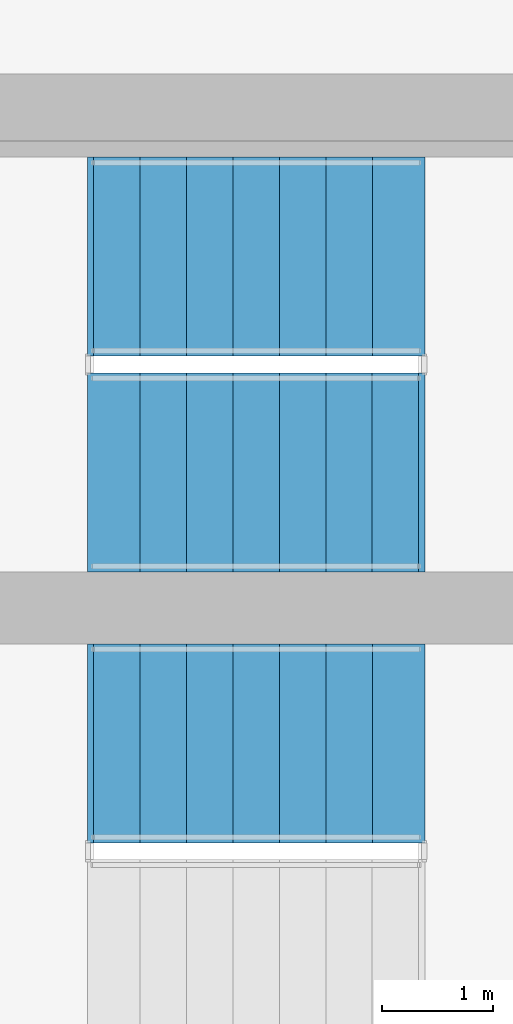
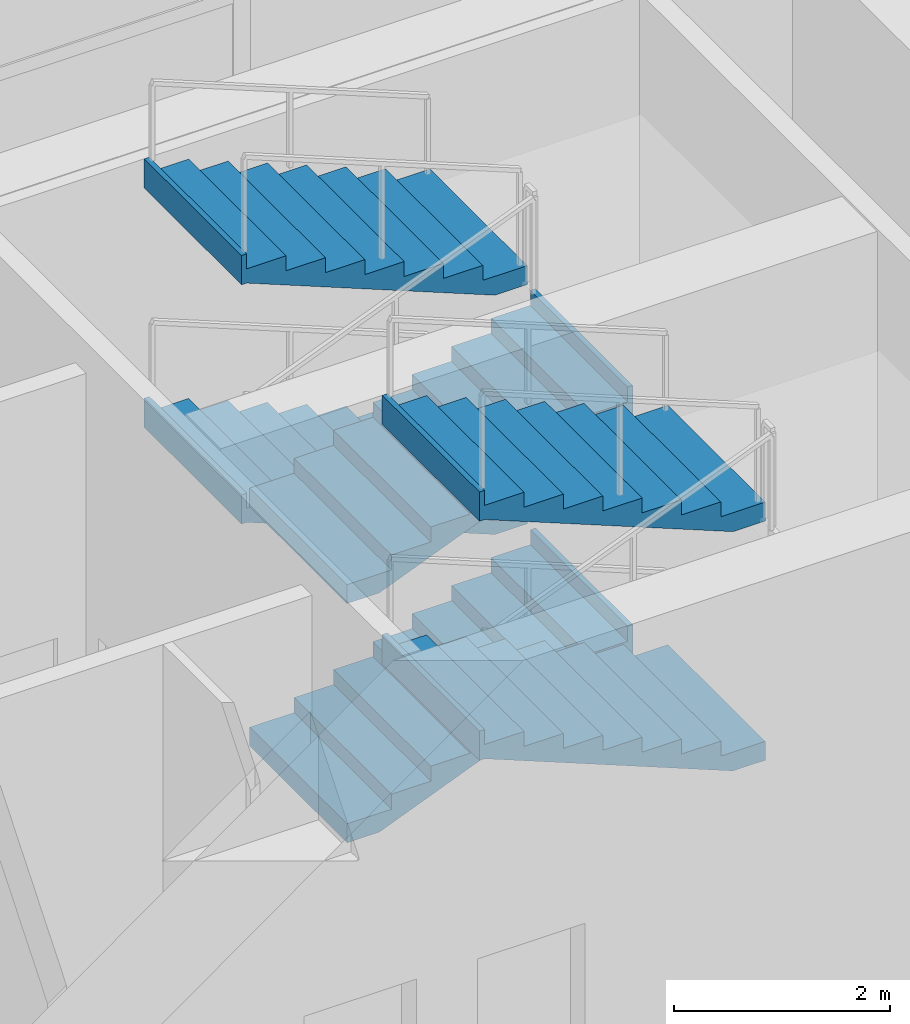
# One storey, part 12 of 16: 6 stair flights, 2 elements without a shape of their own.
"""IFC4 building model written with IfcOpenShell, lengths in metres."""

from ifc_helpers import new_model, si_unit, direction, frame, origin, place, context, subcontext, project, spatial, polyline, outline, extrude, material, type_object, element, aggregate, save


model = new_model("IFC4")

# Units and contexts
model_context = context("Model", 3, precision=1e-05, world=origin(), true_north=direction((0.0, 1.0)))
body_context = subcontext(model_context, "Body", "Model", "MODEL_VIEW")
ifc_project = project(units=[si_unit("LENGTHUNIT", "METRE"), si_unit("AREAUNIT", "SQUARE_METRE"), si_unit("VOLUMEUNIT", "CUBIC_METRE"), si_unit("PLANEANGLEUNIT", "RADIAN"), si_unit("MASSUNIT", "GRAM", prefix="KILO")], contexts=[model_context])

# Site, building, storey
site_placement = place(None, origin())
site = spatial("IfcSite", under=ifc_project, at=site_placement, CompositionType="ELEMENT")
building_placement = place(site_placement, origin())
building = spatial("IfcBuilding", under=site, at=building_placement, Name="Caeloran Harvest Quay", CompositionType="ELEMENT")
storey_placement = place(building_placement, frame((0.0, 0.0, 10.800048828125)))
storey = spatial("IfcBuildingStorey", under=building, at=storey_placement, Name="L03", CompositionType="ELEMENT", Elevation=10.800048828125)

# Stair, stair flights
ifc_material = material(Name="Concrete C50/60", Category="concrete")
stair_type = type_object("IfcStairType", Name="STAIR-STC-180", PredefinedType="HALF_TURN_STAIR", material=ifc_material)
stair_1_placement = place(storey_placement, origin())
stair_1 = element("IfcStair", 1, at=stair_1_placement, inside=storey, type_object=stair_type, Name="L03 Core Pressurized Exit Stair ST-C1", PredefinedType="HALF_TURN_STAIR")
stair_flight_type = type_object("IfcStairFlightType", Name="FLIGHT-STC-180", PredefinedType="STRAIGHT", material=ifc_material)
stair_flight_1_placement = place(storey_placement, frame((15.89990234375, 37.39990234375, 0.0), z_axis=(0.0, 0.0, 1.0), x_axis=(1.0, 0.0, 0.0)))
stair_flight_1 = element("IfcStairFlight", 2, at=stair_flight_1_placement, type_object=stair_flight_type, Name="ST-C1 flight 1", NumberOfRisers=8, NumberOfTreads=7, PredefinedType="STRAIGHT", RiserHeight=0.16875, TreadLength=0.42, context=body_context, shape_type="SweptSolid", body=[
    extrude(outline(polyline([(-0.054931640625, -0.044921875), (-0.054931640625, -0.03173828125), (-0.054931640625, -0.018310546875), (-0.054931640625, -0.0048828125), (-0.054931640625, 0.008544921875), (-0.054931640625, 0.021728515625), (-0.054931640625, 0.03515625), (-0.054931640625, 0.048583984375), (-0.054931640625, 0.061767578125), (-0.054931640625, 0.0751953125), (-0.054931640625, 0.088623046875), (-0.054931640625, 0.10205078125), (-0.054931640625, 0.115234375), (-0.054931640625, 0.128662109375), (-0.054931640625, 0.14208984375), (-0.054931640625, 0.1552734375), (-0.054931640625, 0.168701171875), (0.419921875, 0.168701171875), (0.419921875, 0.33740234375), (0.840087890625, 0.33740234375), (0.840087890625, 0.50634765625), (1.260009765625, 0.50634765625), (1.260009765625, 0.675048828125), (1.679931640625, 0.675048828125), (1.679931640625, 0.84375), (2.10009765625, 0.84375), (2.10009765625, 1.012451171875), (2.52001953125, 1.012451171875), (2.52001953125, 1.18115234375), (2.93994140625, 1.18115234375), (2.93994140625, 1.35009765625), (2.9951171875, 1.35009765625), (2.9951171875, 1.329345703125), (2.9951171875, 1.30859375), (2.9951171875, 1.2880859375), (2.9951171875, 1.267333984375), (2.9951171875, 1.246826171875), (2.9951171875, 1.22607421875), (2.9951171875, 1.20556640625), (2.9951171875, 1.184814453125), (2.9951171875, 1.164306640625), (2.9951171875, 1.1435546875), (2.9951171875, 1.122802734375), (2.9951171875, 1.102294921875), (2.9951171875, 1.08154296875), (2.9951171875, 1.06103515625), (2.9951171875, 1.040283203125), (2.9951171875, 1.019775390625), (2.93994140625, 1.019775390625), (0.2900390625, -0.044921875), (-0.054931640625, -0.044921875)])), frame((0.0, 0.89990234375, 0.0), z_axis=(0.0, -1.0, 0.0), x_axis=(1.0, 0.0, 0.0)), (0.0, 0.0, 1.0), 1.800048828125),
])
stair_flight_2_placement = place(storey_placement, frame((18.840087890625, 39.35009765625, 1.349853515625), z_axis=(0.0, 0.0, 1.0), x_axis=(-1.0, 0.0, 0.0)))
stair_flight_2 = element("IfcStairFlight", 3, at=stair_flight_2_placement, type_object=stair_flight_type, Name="ST-C1 flight 2", NumberOfRisers=8, NumberOfTreads=7, PredefinedType="STRAIGHT", RiserHeight=0.16875, TreadLength=0.42, context=body_context, shape_type="SweptSolid", body=[
    extrude(outline(polyline([(-0.054931640625, -0.044921875), (-0.054931640625, -0.03173828125), (-0.054931640625, -0.018310546875), (-0.054931640625, -0.0048828125), (-0.054931640625, 0.008544921875), (-0.054931640625, 0.021728515625), (-0.054931640625, 0.03515625), (-0.054931640625, 0.048583984375), (-0.054931640625, 0.061767578125), (-0.054931640625, 0.0751953125), (-0.054931640625, 0.088623046875), (-0.054931640625, 0.10205078125), (-0.054931640625, 0.115234375), (-0.054931640625, 0.128662109375), (-0.054931640625, 0.14208984375), (-0.054931640625, 0.1552734375), (-0.054931640625, 0.168701171875), (0.419921875, 0.168701171875), (0.419921875, 0.33740234375), (0.840087890625, 0.33740234375), (0.840087890625, 0.50634765625), (1.260009765625, 0.50634765625), (1.260009765625, 0.675048828125), (1.679931640625, 0.675048828125), (1.679931640625, 0.84375), (2.10009765625, 0.84375), (2.10009765625, 1.012451171875), (2.52001953125, 1.012451171875), (2.52001953125, 1.18115234375), (2.93994140625, 1.18115234375), (2.93994140625, 1.35009765625), (2.9951171875, 1.35009765625), (2.9951171875, 1.329345703125), (2.9951171875, 1.30859375), (2.9951171875, 1.2880859375), (2.9951171875, 1.267333984375), (2.9951171875, 1.246826171875), (2.9951171875, 1.22607421875), (2.9951171875, 1.20556640625), (2.9951171875, 1.184814453125), (2.9951171875, 1.164306640625), (2.9951171875, 1.1435546875), (2.9951171875, 1.122802734375), (2.9951171875, 1.102294921875), (2.9951171875, 1.08154296875), (2.9951171875, 1.06103515625), (2.9951171875, 1.040283203125), (2.9951171875, 1.019775390625), (2.93994140625, 1.019775390625), (0.2900390625, -0.044921875), (-0.054931640625, -0.044921875)])), frame((0.0, 0.89990234375, 0.0), z_axis=(0.0, -1.0, 0.0), x_axis=(1.0, 0.0, 0.0)), (0.0, 0.0, 1.0), 1.800048828125),
])
stair_flight_3_placement = place(storey_placement, frame((15.89990234375, 37.39990234375, 2.699951171875), z_axis=(0.0, 0.0, 1.0), x_axis=(1.0, 0.0, 0.0)))
stair_flight_3 = element("IfcStairFlight", 4, at=stair_flight_3_placement, type_object=stair_flight_type, Name="ST-C1 flight 3", NumberOfRisers=8, NumberOfTreads=7, PredefinedType="STRAIGHT", RiserHeight=0.16875, TreadLength=0.42, context=body_context, shape_type="SweptSolid", body=[
    extrude(outline(polyline([(-0.054931640625, -0.044921875), (-0.054931640625, -0.03173828125), (-0.054931640625, -0.018310546875), (-0.054931640625, -0.0048828125), (-0.054931640625, 0.008544921875), (-0.054931640625, 0.021728515625), (-0.054931640625, 0.03515625), (-0.054931640625, 0.048583984375), (-0.054931640625, 0.061767578125), (-0.054931640625, 0.0751953125), (-0.054931640625, 0.088623046875), (-0.054931640625, 0.10205078125), (-0.054931640625, 0.115234375), (-0.054931640625, 0.128662109375), (-0.054931640625, 0.14208984375), (-0.054931640625, 0.1552734375), (-0.054931640625, 0.168701171875), (0.419921875, 0.168701171875), (0.419921875, 0.33740234375), (0.840087890625, 0.33740234375), (0.840087890625, 0.50634765625), (1.260009765625, 0.50634765625), (1.260009765625, 0.675048828125), (1.679931640625, 0.675048828125), (1.679931640625, 0.84375), (2.10009765625, 0.84375), (2.10009765625, 1.012451171875), (2.52001953125, 1.012451171875), (2.52001953125, 1.18115234375), (2.93994140625, 1.18115234375), (2.93994140625, 1.35009765625), (2.9951171875, 1.35009765625), (2.9951171875, 1.329345703125), (2.9951171875, 1.30859375), (2.9951171875, 1.2880859375), (2.9951171875, 1.267333984375), (2.9951171875, 1.246826171875), (2.9951171875, 1.22607421875), (2.9951171875, 1.20556640625), (2.9951171875, 1.184814453125), (2.9951171875, 1.164306640625), (2.9951171875, 1.1435546875), (2.9951171875, 1.122802734375), (2.9951171875, 1.102294921875), (2.9951171875, 1.08154296875), (2.9951171875, 1.06103515625), (2.9951171875, 1.040283203125), (2.9951171875, 1.019775390625), (2.93994140625, 1.019775390625), (0.2900390625, -0.044921875), (-0.054931640625, -0.044921875)])), frame((0.0, 0.89990234375, 0.0), z_axis=(0.0, -1.0, 0.0), x_axis=(1.0, 0.0, 0.0)), (0.0, 0.0, 1.0), 1.800048828125),
])
stair_flight_4_placement = place(storey_placement, frame((18.840087890625, 39.35009765625, 4.050048828125), z_axis=(0.0, 0.0, 1.0), x_axis=(-1.0, 0.0, 0.0)))
stair_flight_4 = element("IfcStairFlight", 5, at=stair_flight_4_placement, type_object=stair_flight_type, Name="ST-C1 flight 4", NumberOfRisers=8, NumberOfTreads=7, PredefinedType="STRAIGHT", RiserHeight=0.16875, TreadLength=0.42, context=body_context, shape_type="SweptSolid", body=[
    extrude(outline(polyline([(-0.054931640625, -0.044921875), (-0.054931640625, -0.03173828125), (-0.054931640625, -0.018310546875), (-0.054931640625, -0.0048828125), (-0.054931640625, 0.008544921875), (-0.054931640625, 0.021728515625), (-0.054931640625, 0.03515625), (-0.054931640625, 0.048583984375), (-0.054931640625, 0.061767578125), (-0.054931640625, 0.0751953125), (-0.054931640625, 0.088623046875), (-0.054931640625, 0.10205078125), (-0.054931640625, 0.115234375), (-0.054931640625, 0.128662109375), (-0.054931640625, 0.14208984375), (-0.054931640625, 0.1552734375), (-0.054931640625, 0.168701171875), (0.419921875, 0.168701171875), (0.419921875, 0.33740234375), (0.840087890625, 0.33740234375), (0.840087890625, 0.50634765625), (1.260009765625, 0.50634765625), (1.260009765625, 0.675048828125), (1.679931640625, 0.675048828125), (1.679931640625, 0.84375), (2.10009765625, 0.84375), (2.10009765625, 1.012451171875), (2.52001953125, 1.012451171875), (2.52001953125, 1.18115234375), (2.93994140625, 1.18115234375), (2.93994140625, 1.35009765625), (2.9951171875, 1.35009765625), (2.9951171875, 1.329345703125), (2.9951171875, 1.30859375), (2.9951171875, 1.2880859375), (2.9951171875, 1.267333984375), (2.9951171875, 1.246826171875), (2.9951171875, 1.22607421875), (2.9951171875, 1.20556640625), (2.9951171875, 1.184814453125), (2.9951171875, 1.164306640625), (2.9951171875, 1.1435546875), (2.9951171875, 1.122802734375), (2.9951171875, 1.102294921875), (2.9951171875, 1.08154296875), (2.9951171875, 1.06103515625), (2.9951171875, 1.040283203125), (2.9951171875, 1.019775390625), (2.93994140625, 1.019775390625), (0.2900390625, -0.044921875), (-0.054931640625, -0.044921875)])), frame((0.0, 0.89990234375, 0.0), z_axis=(0.0, -1.0, 0.0), x_axis=(1.0, 0.0, 0.0)), (0.0, 0.0, 1.0), 1.800048828125),
])
aggregate(stair_1, [stair_flight_1, stair_flight_2, stair_flight_3, stair_flight_4])

stair_2_placement = place(storey_placement, origin())
stair_2 = element("IfcStair", 6, at=stair_2_placement, inside=storey, type_object=stair_type, Name="L03 Core Pressurized Exit Stair ST-C2", PredefinedType="HALF_TURN_STAIR")
stair_flight_5_placement = place(storey_placement, frame((18.840087890625, 34.949951171875, 1.349853515625), z_axis=(0.0, 0.0, 1.0), x_axis=(-1.0, 0.0, 0.0)))
stair_flight_5 = element("IfcStairFlight", 7, at=stair_flight_5_placement, type_object=stair_flight_type, Name="ST-C2 flight 2", NumberOfRisers=8, NumberOfTreads=7, PredefinedType="STRAIGHT", RiserHeight=0.16875, TreadLength=0.42, context=body_context, shape_type="SweptSolid", body=[
    extrude(outline(polyline([(-0.054931640625, -0.044921875), (-0.054931640625, -0.03173828125), (-0.054931640625, -0.018310546875), (-0.054931640625, -0.0048828125), (-0.054931640625, 0.008544921875), (-0.054931640625, 0.021728515625), (-0.054931640625, 0.03515625), (-0.054931640625, 0.048583984375), (-0.054931640625, 0.061767578125), (-0.054931640625, 0.0751953125), (-0.054931640625, 0.088623046875), (-0.054931640625, 0.10205078125), (-0.054931640625, 0.115234375), (-0.054931640625, 0.128662109375), (-0.054931640625, 0.14208984375), (-0.054931640625, 0.1552734375), (-0.054931640625, 0.168701171875), (0.419921875, 0.168701171875), (0.419921875, 0.33740234375), (0.840087890625, 0.33740234375), (0.840087890625, 0.50634765625), (1.260009765625, 0.50634765625), (1.260009765625, 0.675048828125), (1.679931640625, 0.675048828125), (1.679931640625, 0.84375), (2.10009765625, 0.84375), (2.10009765625, 1.012451171875), (2.52001953125, 1.012451171875), (2.52001953125, 1.18115234375), (2.93994140625, 1.18115234375), (2.93994140625, 1.35009765625), (2.9951171875, 1.35009765625), (2.9951171875, 1.329345703125), (2.9951171875, 1.30859375), (2.9951171875, 1.2880859375), (2.9951171875, 1.267333984375), (2.9951171875, 1.246826171875), (2.9951171875, 1.22607421875), (2.9951171875, 1.20556640625), (2.9951171875, 1.184814453125), (2.9951171875, 1.164306640625), (2.9951171875, 1.1435546875), (2.9951171875, 1.122802734375), (2.9951171875, 1.102294921875), (2.9951171875, 1.08154296875), (2.9951171875, 1.06103515625), (2.9951171875, 1.040283203125), (2.9951171875, 1.019775390625), (2.93994140625, 1.019775390625), (0.2900390625, -0.044921875), (-0.054931640625, -0.044921875)])), frame((0.0, 0.89990234375, 0.0), z_axis=(0.0, -1.0, 0.0), x_axis=(1.0, 0.0, 0.0)), (0.0, 0.0, 1.0), 1.800048828125),
])
stair_flight_6_placement = place(storey_placement, frame((18.840087890625, 34.949951171875, 4.050048828125), z_axis=(0.0, 0.0, 1.0), x_axis=(-1.0, 0.0, 0.0)))
stair_flight_6 = element("IfcStairFlight", 8, at=stair_flight_6_placement, type_object=stair_flight_type, Name="ST-C2 flight 4", NumberOfRisers=8, NumberOfTreads=7, PredefinedType="STRAIGHT", RiserHeight=0.16875, TreadLength=0.42, context=body_context, shape_type="SweptSolid", body=[
    extrude(outline(polyline([(-0.054931640625, -0.044921875), (-0.054931640625, -0.03173828125), (-0.054931640625, -0.018310546875), (-0.054931640625, -0.0048828125), (-0.054931640625, 0.008544921875), (-0.054931640625, 0.021728515625), (-0.054931640625, 0.03515625), (-0.054931640625, 0.048583984375), (-0.054931640625, 0.061767578125), (-0.054931640625, 0.0751953125), (-0.054931640625, 0.088623046875), (-0.054931640625, 0.10205078125), (-0.054931640625, 0.115234375), (-0.054931640625, 0.128662109375), (-0.054931640625, 0.14208984375), (-0.054931640625, 0.1552734375), (-0.054931640625, 0.168701171875), (0.419921875, 0.168701171875), (0.419921875, 0.33740234375), (0.840087890625, 0.33740234375), (0.840087890625, 0.50634765625), (1.260009765625, 0.50634765625), (1.260009765625, 0.675048828125), (1.679931640625, 0.675048828125), (1.679931640625, 0.84375), (2.10009765625, 0.84375), (2.10009765625, 1.012451171875), (2.52001953125, 1.012451171875), (2.52001953125, 1.18115234375), (2.93994140625, 1.18115234375), (2.93994140625, 1.35009765625), (2.9951171875, 1.35009765625), (2.9951171875, 1.329345703125), (2.9951171875, 1.30859375), (2.9951171875, 1.2880859375), (2.9951171875, 1.267333984375), (2.9951171875, 1.246826171875), (2.9951171875, 1.22607421875), (2.9951171875, 1.20556640625), (2.9951171875, 1.184814453125), (2.9951171875, 1.164306640625), (2.9951171875, 1.1435546875), (2.9951171875, 1.122802734375), (2.9951171875, 1.102294921875), (2.9951171875, 1.08154296875), (2.9951171875, 1.06103515625), (2.9951171875, 1.040283203125), (2.9951171875, 1.019775390625), (2.93994140625, 1.019775390625), (0.2900390625, -0.044921875), (-0.054931640625, -0.044921875)])), frame((0.0, 0.89990234375, 0.0), z_axis=(0.0, -1.0, 0.0), x_axis=(1.0, 0.0, 0.0)), (0.0, 0.0, 1.0), 1.800048828125),
])
aggregate(stair_2, [stair_flight_5, stair_flight_6])

save(model, "model.ifc")
